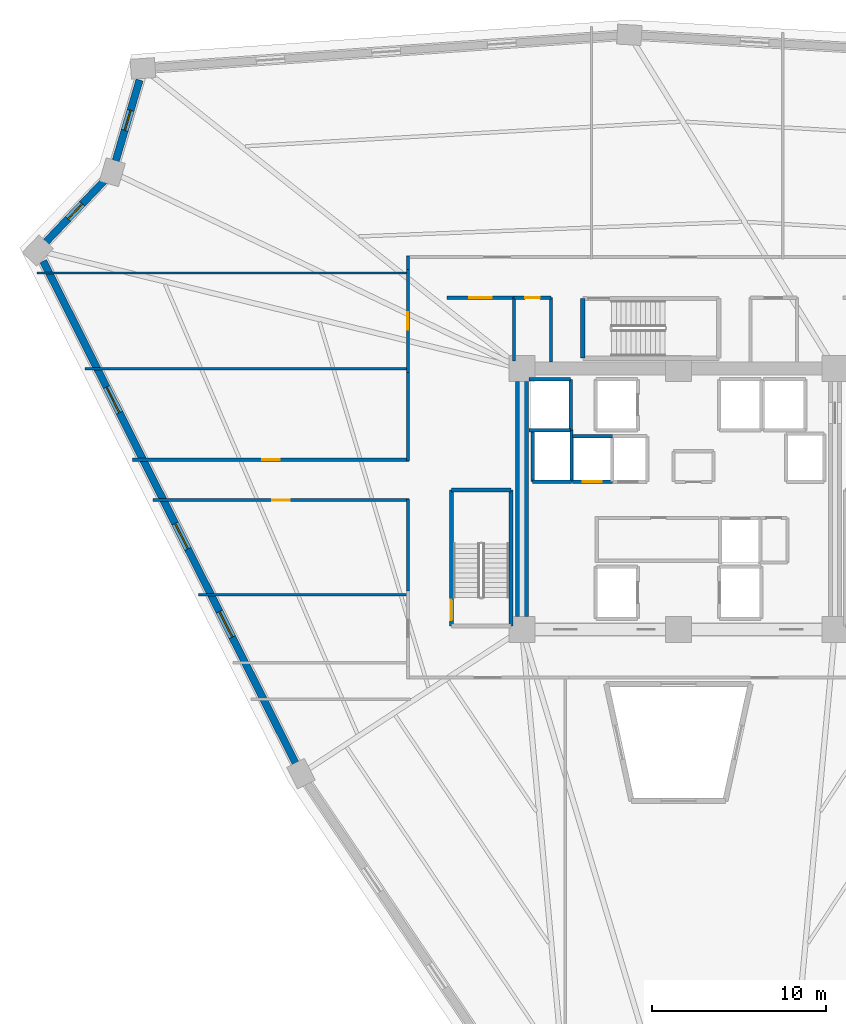
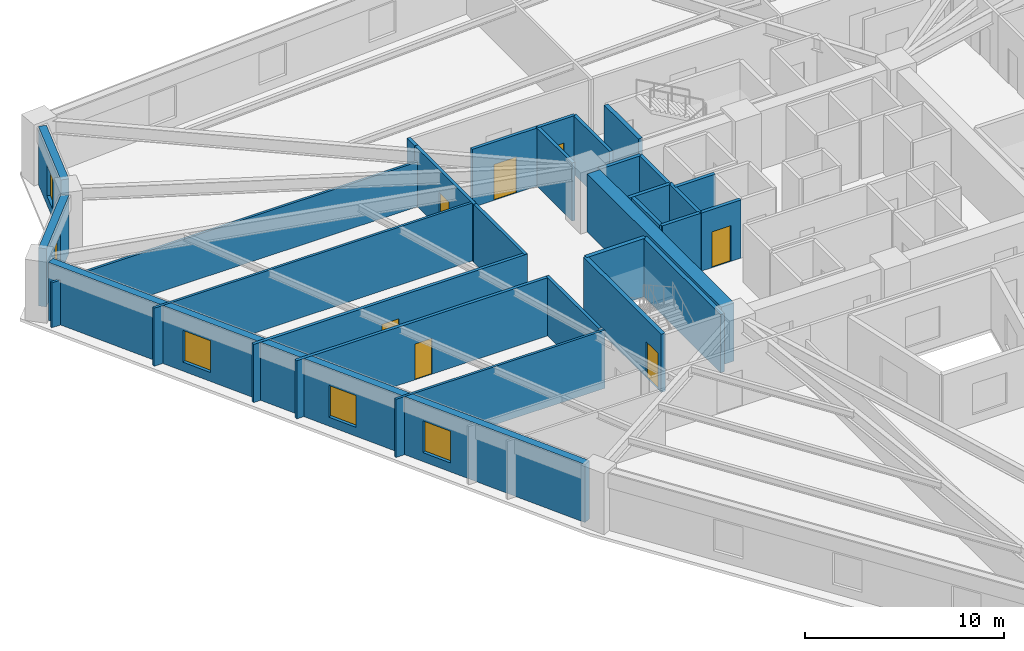
# One storey, part 4 of 8: 29 walls, 7 doors, 5 windows, 12 openings.
"""IFC4 building model written with IfcOpenShell, lengths in metres."""

from ifc_helpers import new_model, si_unit, direction, frame, frame_2d, origin, place, context, subcontext, project, spatial, rectangle, extrude, source, transform, mapped, material, layer, layer_set, type_object, element, fill, save


model = new_model("IFC4")

# Units and contexts
model_context = context("Model", 3, precision=1e-05, world=origin(), true_north=direction((0.0, 1.0)))
body_context = subcontext(model_context, "Body", "Model", "MODEL_VIEW")
ifc_project = project(units=[si_unit("LENGTHUNIT", "METRE"), si_unit("AREAUNIT", "SQUARE_METRE"), si_unit("VOLUMEUNIT", "CUBIC_METRE"), si_unit("PLANEANGLEUNIT", "RADIAN"), si_unit("MASSUNIT", "GRAM", prefix="KILO")], contexts=[model_context])

# Site, building, storey
site_placement = place(None, origin())
site = spatial("IfcSite", under=ifc_project, at=site_placement, CompositionType="ELEMENT")
building_placement = place(site_placement, origin())
building = spatial("IfcBuilding", under=site, at=building_placement, Name="Liaohun Quay Tower", CompositionType="ELEMENT")
storey_placement = place(building_placement, frame((0.0, 0.0, 105.75)))
storey = spatial("IfcBuildingStorey", under=building, at=storey_placement, Name="L27", CompositionType="ELEMENT", Elevation=105.75)

# Wall
ifc_material_1 = material(Name="Concrete C60", Category="concrete")
ifc_layer_1 = layer(ifc_material_1, 0.75, Name="Concrete C60", Category="concrete")
ifc_layer_set_1 = layer_set([ifc_layer_1], Name="Concrete C60")
wall_type_1 = type_object("IfcWallType", Name="WAL-COR-Z2", PredefinedType="SHEAR", material=ifc_layer_set_1)
wall_1_placement = place(storey_placement, frame((51.0, 47.25, 0.0), z_axis=(0.0, 0.0, 1.0), x_axis=(0.0, 1.0, 0.0)))
element("IfcWall", 1, at=wall_1_placement, inside=storey, type_object=wall_type_1, Name="L27 Central Core Shear Wall W", PredefinedType="SHEAR", context=body_context, shape_type="SweptSolid", body=[
    extrude(rectangle(XDim=13.5, YDim=0.75, at=frame_2d((6.75, 0.0))), origin(), (0.0, 0.0, 1.0), 3.570068359375),
])

# Wall, opening, window
ifc_material_2 = material(Name="Precast concrete C50 insulated sandwich", Category="concrete")
ifc_layer_2 = layer(ifc_material_2, 0.419921875, Name="Precast concrete C50 insulated sandwich", Category="concrete")
ifc_layer_set_2 = layer_set([ifc_layer_2], Name="Precast concrete C50 insulated sandwich")
wall_type_2 = type_object("IfcWallType", Name="WAL-EXT-Z12", PredefinedType="SOLIDWALL", material=ifc_layer_set_2)
wall_2_placement = place(storey_placement, frame((29.010986328125, 78.09912109375, 0.0), z_axis=(0.0, 0.0, 1.0), x_axis=(-0.28279156726, -0.959181385081, 0.0)))
wall_2 = element("IfcWall", 2, at=wall_2_placement, inside=storey, type_object=wall_type_2, Name="L27 Brutalist Precast Pier Wall 08", PredefinedType="SOLIDWALL", context=body_context, shape_type="SweptSolid", body=[
    extrude(rectangle(XDim=4.840576171875, YDim=0.419921875, at=frame_2d((2.42041015625, 0.0))), origin(), (0.0, 0.0, 1.0), 3.570068359375),
])
shared_shape_1 = source(origin(), body_context, "Body", "SweptSolid", [
    extrude(rectangle(XDim=1.199951171875, YDim=1.89990234375, at=frame_2d((0.60009765625, 0.949951171875))), frame((0.0, 0.219970703125, 0.0), z_axis=(0.0, -1.0, 0.0), x_axis=(1.0, 0.0, 0.0)), (0.0, 0.0, 1.0), 0.43994140625),
])
opening_1_placement = place(wall_2_placement, frame((1.820068359375, 0.0, 0.550048828125)))
opening_1 = element("IfcOpeningElement", 3, at=opening_1_placement, cuts=wall_2, Name="Opening W05", PredefinedType="OPENING", context=body_context, shape_type="MappedRepresentation", body=[
    mapped(shared_shape_1, transform((0.0, 0.0, 0.0), x_axis=(1.0, 0.0, 0.0), y_axis=(0.0, 1.0, 0.0), z_axis=(0.0, 0.0, 1.0), scale=1.0)),
])
ifc_material_3 = material(Name="Triple Low-E corner notch glazing", Category="glass")
window_type_1 = type_object("IfcWindowType", Name="WIN-NOTCH", PartitioningType="SINGLE_PANEL", PredefinedType="WINDOW", material=ifc_material_3)
shared_shape_2 = source(origin(), body_context, "Body", "SweptSolid", [
    extrude(rectangle(XDim=1.199951171875, YDim=1.89990234375, at=frame_2d((0.60009765625, 0.949951171875))), frame((0.0, 0.030029296875, 0.0), z_axis=(0.0, -1.0, 0.0), x_axis=(1.0, 0.0, 0.0)), (0.0, 0.0, 1.0), 0.06005859375),
])
window_1_placement = place(opening_1_placement, origin())
window_1 = element("IfcWindow", 4, at=window_1_placement, inside=storey, type_object=window_type_1, Name="L27 Corner Notch Window W05-08", OverallHeight=1.89990234375, OverallWidth=1.199951171875, PartitioningType="SINGLE_PANEL", PredefinedType="WINDOW", context=body_context, shape_type="MappedRepresentation", body=[
    mapped(shared_shape_2, transform((0.0, 0.0, 0.0), x_axis=(1.0, 0.0, 0.0), y_axis=(0.0, 1.0, 0.0), z_axis=(0.0, 0.0, 1.0), scale=1.0)),
])
fill(opening_1, window_1)

wall_3_placement = place(storey_placement, frame((26.970947265625, 72.2939453125, 0.0), z_axis=(0.0, 0.0, 1.0), x_axis=(-0.689306913108, -0.724469446934, 0.0)))
wall_3 = element("IfcWall", 5, at=wall_3_placement, inside=storey, type_object=wall_type_2, Name="L27 Brutalist Precast Pier Wall 09", PredefinedType="SOLIDWALL", context=body_context, shape_type="SweptSolid", body=[
    extrude(rectangle(XDim=4.83251953125, YDim=0.419921875, at=frame_2d((2.416259765625, 0.0))), origin(), (0.0, 0.0, 1.0), 3.570068359375),
])
opening_2_placement = place(wall_3_placement, frame((1.81591796875, 0.0, 0.550048828125)))
opening_2 = element("IfcOpeningElement", 6, at=opening_2_placement, cuts=wall_3, Name="Opening W05", PredefinedType="OPENING", context=body_context, shape_type="MappedRepresentation", body=[
    mapped(shared_shape_1, transform((0.0, 0.0, 0.0), x_axis=(1.0, 0.0, 0.0), y_axis=(0.0, 1.0, 0.0), z_axis=(0.0, 0.0, 1.0), scale=1.0)),
])
window_2_placement = place(opening_2_placement, origin())
window_2 = element("IfcWindow", 7, at=window_2_placement, inside=storey, type_object=window_type_1, Name="L27 Corner Notch Window W05-09", OverallHeight=1.89990234375, OverallWidth=1.199951171875, PartitioningType="SINGLE_PANEL", PredefinedType="WINDOW", context=body_context, shape_type="MappedRepresentation", body=[
    mapped(shared_shape_2, transform((0.0, 0.0, 0.0), x_axis=(1.0, 0.0, 0.0), y_axis=(0.0, 1.0, 0.0), z_axis=(0.0, 0.0, 1.0), scale=1.0)),
])
fill(opening_2, window_2)

# Wall, openings, windows
wall_4_placement = place(storey_placement, frame((23.47412109375, 67.677001953125, 0.0), z_axis=(0.0, 0.0, 1.0), x_axis=(0.44918995427, -0.893436279196, 0.0)))
wall_4 = element("IfcWall", 8, at=wall_4_placement, inside=storey, type_object=wall_type_2, Name="L27 Brutalist Precast Pier Wall 10", PredefinedType="SOLIDWALL", context=body_context, shape_type="SweptSolid", body=[
    extrude(rectangle(XDim=32.297607421875, YDim=0.419921875, at=frame_2d((16.14892578125, 0.0))), origin(), (0.0, 0.0, 1.0), 3.570068359375),
])
shared_shape_3 = source(origin(), body_context, "Body", "SweptSolid", [
    extrude(rectangle(XDim=1.64990234375, YDim=1.949951171875, at=frame_2d((0.824951171875, 0.97509765625))), frame((0.0, 0.219970703125, 0.0), z_axis=(0.0, -1.0, 0.0), x_axis=(1.0, 0.0, 0.0)), (0.0, 0.0, 1.0), 0.43994140625),
])
opening_3_placement = place(wall_4_placement, frame((8.09912109375, 0.0, 0.550048828125)))
opening_3 = element("IfcOpeningElement", 9, at=opening_3_placement, cuts=wall_4, Name="Opening W02", PredefinedType="OPENING", context=body_context, shape_type="MappedRepresentation", body=[
    mapped(shared_shape_3, transform((0.0, 0.0, 0.0), x_axis=(1.0, 0.0, 0.0), y_axis=(0.0, 1.0, 0.0), z_axis=(0.0, 0.0, 1.0), scale=1.0)),
])
opening_4_placement = place(wall_4_placement, frame((16.8740234375, 0.0, 0.550048828125)))
opening_4 = element("IfcOpeningElement", 10, at=opening_4_placement, cuts=wall_4, Name="Opening W02", PredefinedType="OPENING", context=body_context, shape_type="MappedRepresentation", body=[
    mapped(shared_shape_3, transform((0.0, 0.0, 0.0), x_axis=(1.0, 0.0, 0.0), y_axis=(0.0, 1.0, 0.0), z_axis=(0.0, 0.0, 1.0), scale=1.0)),
])
opening_5_placement = place(wall_4_placement, frame((22.548095703125, 0.0, 0.550048828125)))
opening_5 = element("IfcOpeningElement", 11, at=opening_5_placement, cuts=wall_4, Name="Opening W02", PredefinedType="OPENING", context=body_context, shape_type="MappedRepresentation", body=[
    mapped(shared_shape_3, transform((0.0, 0.0, 0.0), x_axis=(1.0, 0.0, 0.0), y_axis=(0.0, 1.0, 0.0), z_axis=(0.0, 0.0, 1.0), scale=1.0)),
])
ifc_material_4 = material(Name="Triple Low-E argon glazing in thermally broken aluminium", Category="aluminium")
window_type_2 = type_object("IfcWindowType", Name="WIN-PUN-Z2", PartitioningType="DOUBLE_PANEL_VERTICAL", PredefinedType="WINDOW", material=ifc_material_4)
shared_shape_4 = source(origin(), body_context, "Body", "SweptSolid", [
    extrude(rectangle(XDim=1.64990234375, YDim=1.949951171875, at=frame_2d((0.824951171875, 0.97509765625))), frame((0.0, 0.030029296875, 0.0), z_axis=(0.0, -1.0, 0.0), x_axis=(1.0, 0.0, 0.0)), (0.0, 0.0, 1.0), 0.06005859375),
])
window_3_placement = place(opening_3_placement, origin())
window_3 = element("IfcWindow", 12, at=window_3_placement, inside=storey, type_object=window_type_2, Name="L27 Recessed Cold-Climate Punched Window 10-1", OverallHeight=1.949951171875, OverallWidth=1.64990234375, PartitioningType="DOUBLE_PANEL_VERTICAL", PredefinedType="WINDOW", context=body_context, shape_type="MappedRepresentation", body=[
    mapped(shared_shape_4, transform((0.0, 0.0, 0.0), x_axis=(1.0, 0.0, 0.0), y_axis=(0.0, 1.0, 0.0), z_axis=(0.0, 0.0, 1.0), scale=1.0)),
])
fill(opening_3, window_3)
window_4_placement = place(opening_4_placement, origin())
window_4 = element("IfcWindow", 13, at=window_4_placement, inside=storey, type_object=window_type_2, Name="L27 Recessed Cold-Climate Punched Window 10-2", OverallHeight=1.949951171875, OverallWidth=1.64990234375, PartitioningType="DOUBLE_PANEL_VERTICAL", PredefinedType="WINDOW", context=body_context, shape_type="MappedRepresentation", body=[
    mapped(shared_shape_4, transform((0.0, 0.0, 0.0), x_axis=(1.0, 0.0, 0.0), y_axis=(0.0, 1.0, 0.0), z_axis=(0.0, 0.0, 1.0), scale=1.0)),
])
fill(opening_4, window_4)
window_5_placement = place(opening_5_placement, origin())
window_5 = element("IfcWindow", 14, at=window_5_placement, inside=storey, type_object=window_type_2, Name="L27 Recessed Cold-Climate Punched Window 10-3", OverallHeight=1.949951171875, OverallWidth=1.64990234375, PartitioningType="DOUBLE_PANEL_VERTICAL", PredefinedType="WINDOW", context=body_context, shape_type="MappedRepresentation", body=[
    mapped(shared_shape_4, transform((0.0, 0.0, 0.0), x_axis=(1.0, 0.0, 0.0), y_axis=(0.0, 1.0, 0.0), z_axis=(0.0, 0.0, 1.0), scale=1.0)),
])
fill(opening_5, window_5)

# Wall, opening, door
ifc_material_5 = material(Name="Autoclaved aerated concrete blockwork", Category="masonry")
ifc_layer_3 = layer(ifc_material_5, 0.179931640625, Name="Autoclaved aerated concrete blockwork", Category="masonry")
ifc_layer_set_3 = layer_set([ifc_layer_3], Name="Autoclaved aerated concrete blockwork")
wall_type_3 = type_object("IfcWallType", Name="WAL-PRT-COR", PredefinedType="PARTITIONING", material=ifc_layer_set_3)
wall_5_placement = place(storey_placement, frame((50.5400390625, 65.580078125, 0.0), z_axis=(0.0, 0.0, 1.0), x_axis=(1.0, 0.0, 0.0)))
wall_5 = element("IfcWall", 15, at=wall_5_placement, inside=storey, type_object=wall_type_3, Name="L27 Interior Partition Wall 007", PredefinedType="PARTITIONING", context=body_context, shape_type="SweptSolid", body=[
    extrude(rectangle(XDim=2.139892578125, YDim=0.179931640625, at=frame_2d((1.06982421875, 0.0))), origin(), (0.0, 0.0, 1.0), 3.570068359375),
])
shared_shape_5 = source(origin(), body_context, "Body", "SweptSolid", [
    extrude(rectangle(XDim=0.85009765625, YDim=2.10009765625, at=frame_2d((0.425048828125, 1.050048828125))), frame((0.0, 0.099853515625, 0.0), z_axis=(0.0, -1.0, 0.0), x_axis=(1.0, 0.0, 0.0)), (0.0, 0.0, 1.0), 0.199951171875),
])
opening_6_placement = place(wall_5_placement, frame((0.64501953125, 0.0, 0.0)))
opening_6 = element("IfcOpeningElement", 16, at=opening_6_placement, cuts=wall_5, Name="Opening AD1", PredefinedType="OPENING", context=body_context, shape_type="MappedRepresentation", body=[
    mapped(shared_shape_5, transform((0.0, 0.0, 0.0), x_axis=(1.0, 0.0, 0.0), y_axis=(0.0, 1.0, 0.0), z_axis=(0.0, 0.0, 1.0), scale=1.0)),
])
ifc_material_6 = material(Name="Steel riser inspection fire door", Category="steel")
door_type_1 = type_object("IfcDoorType", Name="DOR-SHF-850", OperationType="NOTDEFINED", PredefinedType="DOOR", material=ifc_material_6)
shared_shape_6 = source(origin(), body_context, "Body", "SweptSolid", [
    extrude(rectangle(XDim=0.85009765625, YDim=2.10009765625, at=frame_2d((0.425048828125, 1.050048828125))), frame((0.0, 0.02490234375, 0.0), z_axis=(0.0, -1.0, 0.0), x_axis=(1.0, 0.0, 0.0)), (0.0, 0.0, 1.0), 0.050048828125),
])
door_1_placement = place(opening_6_placement, origin())
door_1 = element("IfcDoor", 17, at=door_1_placement, inside=storey, type_object=door_type_1, Name="L27 North-West Supply Store Door", OperationType="SINGLE_SWING_RIGHT", OverallHeight=2.10009765625, OverallWidth=0.85009765625, PredefinedType="DOOR", context=body_context, shape_type="MappedRepresentation", body=[
    mapped(shared_shape_6, transform((0.0, 0.0, 0.0), x_axis=(1.0, 0.0, 0.0), y_axis=(0.0, 1.0, 0.0), z_axis=(0.0, 0.0, 1.0), scale=1.0)),
])
fill(opening_6, door_1)

wall_6_placement = place(storey_placement, frame((46.699951171875, 65.580078125, 0.0), z_axis=(0.0, 0.0, 1.0), x_axis=(1.0, 0.0, 0.0)))
wall_6 = element("IfcWall", 18, at=wall_6_placement, inside=storey, type_object=wall_type_3, Name="L27 Interior Partition Wall 009", PredefinedType="PARTITIONING", context=body_context, shape_type="SweptSolid", body=[
    extrude(rectangle(XDim=3.840087890625, YDim=0.179931640625, at=frame_2d((1.919921875, 0.0))), origin(), (0.0, 0.0, 1.0), 3.570068359375),
])
shared_shape_7 = source(origin(), body_context, "Body", "SweptSolid", [
    extrude(rectangle(XDim=1.300048828125, YDim=2.199951171875, at=frame_2d((0.64990234375, 1.10009765625))), frame((0.0, 0.099853515625, 0.0), z_axis=(0.0, -1.0, 0.0), x_axis=(1.0, 0.0, 0.0)), (0.0, 0.0, 1.0), 0.199951171875),
])
opening_7_placement = place(wall_6_placement, frame((1.27001953125, 0.0, 0.0)))
opening_7 = element("IfcOpeningElement", 19, at=opening_7_placement, cuts=wall_6, Name="Opening FD1", PredefinedType="OPENING", context=body_context, shape_type="MappedRepresentation", body=[
    mapped(shared_shape_7, transform((0.0, 0.0, 0.0), x_axis=(1.0, 0.0, 0.0), y_axis=(0.0, 1.0, 0.0), z_axis=(0.0, 0.0, 1.0), scale=1.0)),
])
ifc_material_7 = material(Name="Galvanised steel smokeproof fire door", Category="steel")
door_type_2 = type_object("IfcDoorType", Name="DOR-FFL-1300", OperationType="NOTDEFINED", PredefinedType="DOOR", material=ifc_material_7)
shared_shape_8 = source(origin(), body_context, "Body", "SweptSolid", [
    extrude(rectangle(XDim=1.300048828125, YDim=2.199951171875, at=frame_2d((0.64990234375, 1.10009765625))), frame((0.0, 0.02490234375, 0.0), z_axis=(0.0, -1.0, 0.0), x_axis=(1.0, 0.0, 0.0)), (0.0, 0.0, 1.0), 0.050048828125),
])
door_2_placement = place(opening_7_placement, origin())
door_2 = element("IfcDoor", 20, at=door_2_placement, inside=storey, type_object=door_type_2, Name="L27 West Core Vestibule Door", OperationType="SINGLE_SWING_RIGHT", OverallHeight=2.199951171875, OverallWidth=1.300048828125, PredefinedType="DOOR", context=body_context, shape_type="MappedRepresentation", body=[
    mapped(shared_shape_8, transform((0.0, 0.0, 0.0), x_axis=(1.0, 0.0, 0.0), y_axis=(0.0, 1.0, 0.0), z_axis=(0.0, 0.0, 1.0), scale=1.0)),
])
fill(opening_7, door_2)

wall_7_placement = place(storey_placement, frame((44.43994140625, 61.284912109375, 0.0), z_axis=(0.0, 0.0, 1.0), x_axis=(0.0, 1.0, 0.0)))
wall_7 = element("IfcWall", 21, at=wall_7_placement, inside=storey, type_object=wall_type_3, Name="L27 Interior Partition Wall 015", PredefinedType="PARTITIONING", context=body_context, shape_type="SweptSolid", body=[
    extrude(rectangle(XDim=5.93017578125, YDim=0.179931640625, at=frame_2d((2.965087890625, 0.0))), origin(), (0.0, 0.0, 1.0), 3.570068359375),
])
shared_shape_9 = source(origin(), body_context, "Body", "SweptSolid", [
    extrude(rectangle(XDim=1.0, YDim=2.199951171875, at=frame_2d((0.5, 1.10009765625))), frame((0.0, 0.099853515625, 0.0), z_axis=(0.0, -1.0, 0.0), x_axis=(1.0, 0.0, 0.0)), (0.0, 0.0, 1.0), 0.199951171875),
])
opening_8_placement = place(wall_7_placement, frame((2.465087890625, 0.0, 0.0)))
opening_8 = element("IfcOpeningElement", 22, at=opening_8_placement, cuts=wall_7, Name="Opening OD1", PredefinedType="OPENING", context=body_context, shape_type="MappedRepresentation", body=[
    mapped(shared_shape_9, transform((0.0, 0.0, 0.0), x_axis=(1.0, 0.0, 0.0), y_axis=(0.0, 1.0, 0.0), z_axis=(0.0, 0.0, 1.0), scale=1.0)),
])
ifc_material_8 = material(Name="Solid-core oak veneer timber leaf in steel frame", Category="steel")
door_type_3 = type_object("IfcDoorType", Name="DOR-OFF-1000", OperationType="NOTDEFINED", PredefinedType="DOOR", material=ifc_material_8)
shared_shape_10 = source(origin(), body_context, "Body", "SweptSolid", [
    extrude(rectangle(XDim=1.0, YDim=2.199951171875, at=frame_2d((0.5, 1.10009765625))), frame((0.0, 0.02490234375, 0.0), z_axis=(0.0, -1.0, 0.0), x_axis=(1.0, 0.0, 0.0)), (0.0, 0.0, 1.0), 0.050048828125),
])
door_3_placement = place(opening_8_placement, origin())
door_3 = element("IfcDoor", 23, at=door_3_placement, inside=storey, type_object=door_type_3, Name="L27 Corporate Exhibition Gallery 05 Door", OperationType="SINGLE_SWING_RIGHT", OverallHeight=2.199951171875, OverallWidth=1.0, PredefinedType="DOOR", context=body_context, shape_type="MappedRepresentation", body=[
    mapped(shared_shape_10, transform((0.0, 0.0, 0.0), x_axis=(1.0, 0.0, 0.0), y_axis=(0.0, 1.0, 0.0), z_axis=(0.0, 0.0, 1.0), scale=1.0)),
])
fill(opening_8, door_3)

wall_8_placement = place(storey_placement, frame((28.617919921875, 56.260009765625, 0.0), z_axis=(0.0, 0.0, 1.0), x_axis=(1.0, 0.0, 0.0)))
wall_8 = element("IfcWall", 24, at=wall_8_placement, inside=storey, type_object=wall_type_3, Name="L27 Interior Partition Wall 016", PredefinedType="PARTITIONING", context=body_context, shape_type="SweptSolid", body=[
    extrude(rectangle(XDim=15.89208984375, YDim=0.179931640625, at=frame_2d((7.946044921875, 0.0))), origin(), (0.0, 0.0, 1.0), 3.570068359375),
])
opening_9_placement = place(wall_8_placement, frame((7.446044921875, 0.0, 0.0)))
opening_9 = element("IfcOpeningElement", 25, at=opening_9_placement, cuts=wall_8, Name="Opening OD1", PredefinedType="OPENING", context=body_context, shape_type="MappedRepresentation", body=[
    mapped(shared_shape_9, transform((0.0, 0.0, 0.0), x_axis=(1.0, 0.0, 0.0), y_axis=(0.0, 1.0, 0.0), z_axis=(0.0, 0.0, 1.0), scale=1.0)),
])
door_4_placement = place(opening_9_placement, origin())
door_4 = element("IfcDoor", 26, at=door_4_placement, inside=storey, type_object=door_type_3, Name="L27 Staff Tea Kitchen and Pantry 06 Door", OperationType="SINGLE_SWING_LEFT", OverallHeight=2.199951171875, OverallWidth=1.0, PredefinedType="DOOR", context=body_context, shape_type="MappedRepresentation", body=[
    mapped(shared_shape_10, transform((0.0, 0.0, 0.0), x_axis=(1.0, 0.0, 0.0), y_axis=(0.0, 1.0, 0.0), z_axis=(0.0, 0.0, 1.0), scale=1.0)),
])
fill(opening_9, door_4)

wall_9_placement = place(storey_placement, frame((44.510009765625, 53.93994140625, 0.0), z_axis=(0.0, 0.0, 1.0), x_axis=(-1.0, 0.0, 0.0)))
wall_9 = element("IfcWall", 27, at=wall_9_placement, inside=storey, type_object=wall_type_3, Name="L27 Interior Partition Wall 017", PredefinedType="PARTITIONING", context=body_context, shape_type="SweptSolid", body=[
    extrude(rectangle(XDim=14.72509765625, YDim=0.179931640625, at=frame_2d((7.362548828125, 0.0))), origin(), (0.0, 0.0, 1.0), 3.570068359375),
])
opening_10_placement = place(wall_9_placement, frame((6.862060546875, 0.0, 0.0)))
opening_10 = element("IfcOpeningElement", 28, at=opening_10_placement, cuts=wall_9, Name="Opening OD1", PredefinedType="OPENING", context=body_context, shape_type="MappedRepresentation", body=[
    mapped(shared_shape_9, transform((0.0, 0.0, 0.0), x_axis=(1.0, 0.0, 0.0), y_axis=(0.0, 1.0, 0.0), z_axis=(0.0, 0.0, 1.0), scale=1.0)),
])
door_5_placement = place(opening_10_placement, origin())
door_5 = element("IfcDoor", 29, at=door_5_placement, inside=storey, type_object=door_type_3, Name="L27 Architectural Design Studio 07 Door", OperationType="SINGLE_SWING_RIGHT", OverallHeight=2.199951171875, OverallWidth=1.0, PredefinedType="DOOR", context=body_context, shape_type="MappedRepresentation", body=[
    mapped(shared_shape_10, transform((0.0, 0.0, 0.0), x_axis=(1.0, 0.0, 0.0), y_axis=(0.0, 1.0, 0.0), z_axis=(0.0, 0.0, 1.0), scale=1.0)),
])
fill(opening_10, door_5)

# Walls
wall_10_placement = place(storey_placement, frame((50.5400390625, 61.949951171875, 0.0), z_axis=(0.0, 0.0, 1.0), x_axis=(0.0, 1.0, 0.0)))
element("IfcWall", 30, at=wall_10_placement, inside=storey, type_object=wall_type_3, Name="L27 Interior Partition Wall 033", PredefinedType="PARTITIONING", context=body_context, shape_type="SweptSolid", body=[
    extrude(rectangle(XDim=3.630126953125, YDim=0.179931640625, at=frame_2d((1.81494140625, 0.0))), origin(), (0.0, 0.0, 1.0), 3.570068359375),
])
wall_11_placement = place(storey_placement, frame((52.679931640625, 61.875, 0.0), z_axis=(0.0, 0.0, 1.0), x_axis=(0.0, 1.0, 0.0)))
element("IfcWall", 31, at=wall_11_placement, inside=storey, type_object=wall_type_3, Name="L27 Interior Partition Wall 034", PredefinedType="PARTITIONING", context=body_context, shape_type="SweptSolid", body=[
    extrude(rectangle(XDim=3.705078125, YDim=0.179931640625, at=frame_2d((1.8525390625, 0.0))), origin(), (0.0, 0.0, 1.0), 3.570068359375),
])
wall_12_placement = place(storey_placement, frame((44.43994140625, 67.215087890625, 0.0), z_axis=(0.0, 0.0, 1.0), x_axis=(0.0, 1.0, 0.0)))
element("IfcWall", 32, at=wall_12_placement, inside=storey, type_object=wall_type_3, Name="L27 Interior Partition Wall 039", PredefinedType="PARTITIONING", context=body_context, shape_type="SweptSolid", body=[
    extrude(rectangle(XDim=0.764892578125, YDim=0.179931640625, at=frame_2d((0.38232421875, 0.0))), origin(), (0.0, 0.0, 1.0), 3.570068359375),
])
wall_13_placement = place(storey_placement, frame((44.43994140625, 56.18994140625, 0.0), z_axis=(0.0, 0.0, 1.0), x_axis=(0.0, 1.0, 0.0)))
element("IfcWall", 33, at=wall_13_placement, inside=storey, type_object=wall_type_3, Name="L27 Interior Partition Wall 040", PredefinedType="PARTITIONING", context=body_context, shape_type="SweptSolid", body=[
    extrude(rectangle(XDim=5.094970703125, YDim=0.179931640625, at=frame_2d((2.54736328125, 0.0))), origin(), (0.0, 0.0, 1.0), 3.570068359375),
])
wall_14_placement = place(storey_placement, frame((44.43994140625, 48.715087890625, 0.0), z_axis=(0.0, 0.0, 1.0), x_axis=(0.0, 1.0, 0.0)))
element("IfcWall", 34, at=wall_14_placement, inside=storey, type_object=wall_type_3, Name="L27 Interior Partition Wall 041", PredefinedType="PARTITIONING", context=body_context, shape_type="SweptSolid", body=[
    extrude(rectangle(XDim=5.294921875, YDim=0.179931640625, at=frame_2d((2.6474609375, 0.0))), origin(), (0.0, 0.0, 1.0), 3.570068359375),
])
ifc_material_9 = material(Name="Gypsum board on twin steel studs", Category="steel")
ifc_layer_4 = layer(ifc_material_9, 0.139892578125, Name="Gypsum board on twin steel studs", Category="steel")
ifc_layer_set_4 = layer_set([ifc_layer_4], Name="Gypsum board on twin steel studs")
wall_type_4 = type_object("IfcWallType", Name="WAL-PRT-OFF", PredefinedType="PARTITIONING", material=ifc_layer_set_4)
wall_15_placement = place(storey_placement, frame((44.5400390625, 48.5, 0.0), z_axis=(0.0, 0.0, 1.0), x_axis=(-1.0, 0.0, 0.0)))
element("IfcWall", 35, at=wall_15_placement, inside=storey, type_object=wall_type_4, Name="L27 Interior Partition Wall 047", PredefinedType="PARTITIONING", context=body_context, shape_type="SweptSolid", body=[
    extrude(rectangle(XDim=12.129150390625, YDim=0.139892578125, at=frame_2d((6.064453125, 0.0))), origin(), (0.0, 0.0, 1.0), 3.570068359375),
])
wall_16_placement = place(storey_placement, frame((44.5400390625, 61.5, 0.0), z_axis=(0.0, 0.0, 1.0), x_axis=(-1.0, 0.0, 0.0)))
element("IfcWall", 36, at=wall_16_placement, inside=storey, type_object=wall_type_4, Name="L27 Interior Partition Wall 048", PredefinedType="PARTITIONING", context=body_context, shape_type="SweptSolid", body=[
    extrude(rectangle(XDim=18.6650390625, YDim=0.139892578125, at=frame_2d((9.33251953125, 0.0))), origin(), (0.0, 0.0, 1.0), 3.570068359375),
])
wall_17_placement = place(storey_placement, frame((44.5400390625, 67.0, 0.0), z_axis=(0.0, 0.0, 1.0), x_axis=(-1.0, 0.0, 0.0)))
element("IfcWall", 37, at=wall_17_placement, inside=storey, type_object=wall_type_4, Name="L27 Interior Partition Wall 049", PredefinedType="PARTITIONING", context=body_context, shape_type="SweptSolid", body=[
    extrude(rectangle(XDim=21.43115234375, YDim=0.139892578125, at=frame_2d((10.715576171875, 0.0))), origin(), (0.0, 0.0, 1.0), 2.7548828125),
])
ifc_material_10 = material(Name="Concrete C50", Category="concrete")
ifc_layer_5 = layer(ifc_material_10, 0.239990234375, Name="Concrete C50", Category="concrete")
ifc_layer_set_5 = layer_set([ifc_layer_5], Name="Concrete C50")
wall_type_5 = type_object("IfcWallType", Name="WAL-SHF-200", PredefinedType="SOLIDWALL", material=ifc_layer_set_5)
wall_18_placement = place(storey_placement, frame((50.3798828125, 46.699951171875, 0.0), z_axis=(0.0, 0.0, 1.0), x_axis=(0.0, 1.0, 0.0)))
element("IfcWall", 38, at=wall_18_placement, inside=storey, type_object=wall_type_5, Name="L27 Stairwell ST-1 Structural Core Wall E", PredefinedType="SOLIDWALL", context=body_context, shape_type="SweptSolid", body=[
    extrude(rectangle(XDim=7.820068359375, YDim=0.239990234375, at=frame_2d((3.91015625, 0.0))), origin(), (0.0, 0.0, 1.0), 3.570068359375),
])
wall_19_placement = place(storey_placement, frame((50.3798828125, 54.52001953125, 0.0), z_axis=(0.0, 0.0, 1.0), x_axis=(-1.0, 0.0, 0.0)))
element("IfcWall", 39, at=wall_19_placement, inside=storey, type_object=wall_type_5, Name="L27 Stairwell ST-1 Structural Core Wall N", PredefinedType="SOLIDWALL", context=body_context, shape_type="SweptSolid", body=[
    extrude(rectangle(XDim=3.43994140625, YDim=0.239990234375, at=frame_2d((1.719970703125, 0.0))), origin(), (0.0, 0.0, 1.0), 3.570068359375),
])

# Wall, opening, door
wall_20_placement = place(storey_placement, frame((46.93994140625, 54.52001953125, 0.0), z_axis=(0.0, 0.0, 1.0), x_axis=(0.0, -1.0, 0.0)))
wall_20 = element("IfcWall", 40, at=wall_20_placement, inside=storey, type_object=wall_type_5, Name="L27 Stairwell ST-1 Structural Core Wall W", PredefinedType="SOLIDWALL", context=body_context, shape_type="SweptSolid", body=[
    extrude(rectangle(XDim=7.820068359375, YDim=0.239990234375, at=frame_2d((3.91015625, 0.0))), origin(), (0.0, 0.0, 1.0), 3.570068359375),
])
shared_shape_11 = source(origin(), body_context, "Body", "SweptSolid", [
    extrude(rectangle(XDim=1.199951171875, YDim=2.199951171875, at=frame_2d((0.60009765625, 1.10009765625))), frame((0.0, 0.1298828125, 0.0), z_axis=(0.0, -1.0, 0.0), x_axis=(1.0, 0.0, 0.0)), (0.0, 0.0, 1.0), 0.260009765625),
])
opening_11_placement = place(wall_20_placement, frame((6.300048828125, 0.0, 0.0)))
opening_11 = element("IfcOpeningElement", 41, at=opening_11_placement, cuts=wall_20, Name="Opening SD1", PredefinedType="OPENING", context=body_context, shape_type="MappedRepresentation", body=[
    mapped(shared_shape_11, transform((0.0, 0.0, 0.0), x_axis=(1.0, 0.0, 0.0), y_axis=(0.0, 1.0, 0.0), z_axis=(0.0, 0.0, 1.0), scale=1.0)),
])
ifc_material_11 = material(Name="Galvanised steel fire door", Category="steel")
door_type_4 = type_object("IfcDoorType", Name="DOR-STR-1200", OperationType="NOTDEFINED", PredefinedType="DOOR", material=ifc_material_11)
shared_shape_12 = source(origin(), body_context, "Body", "SweptSolid", [
    extrude(rectangle(XDim=1.199951171875, YDim=2.199951171875, at=frame_2d((0.60009765625, 1.10009765625))), frame((0.0, 0.02490234375, 0.0), z_axis=(0.0, -1.0, 0.0), x_axis=(1.0, 0.0, 0.0)), (0.0, 0.0, 1.0), 0.050048828125),
])
door_6_placement = place(opening_11_placement, origin())
door_6 = element("IfcDoor", 42, at=door_6_placement, inside=storey, type_object=door_type_4, Name="L27 Protected Stair ST-1 Fire Door", OperationType="SINGLE_SWING_LEFT", OverallHeight=2.199951171875, OverallWidth=1.199951171875, PredefinedType="DOOR", context=body_context, shape_type="MappedRepresentation", body=[
    mapped(shared_shape_12, transform((0.0, 0.0, 0.0), x_axis=(1.0, 0.0, 0.0), y_axis=(0.0, 1.0, 0.0), z_axis=(0.0, 0.0, 1.0), scale=1.0)),
])
fill(opening_11, door_6)

# Walls
wall_21_placement = place(storey_placement, frame((54.5, 65.5400390625, 0.0), z_axis=(0.0, 0.0, 1.0), x_axis=(0.0, -1.0, 0.0)))
element("IfcWall", 43, at=wall_21_placement, inside=storey, type_object=wall_type_5, Name="L27 Stairwell ST-3 Structural Core Wall W", PredefinedType="SOLIDWALL", context=body_context, shape_type="SweptSolid", body=[
    extrude(rectangle(XDim=3.43994140625, YDim=0.239990234375, at=frame_2d((1.719970703125, 0.0))), origin(), (0.0, 0.0, 1.0), 3.570068359375),
])
wall_22_placement = place(storey_placement, frame((51.39990234375, 57.949951171875, 0.0), z_axis=(0.0, 0.0, 1.0), x_axis=(1.0, 0.0, 0.0)))
element("IfcWall", 44, at=wall_22_placement, inside=storey, type_object=wall_type_5, Name="L27 Lift SH-01 Hoistway Wall S", PredefinedType="SOLIDWALL", context=body_context, shape_type="SweptSolid", body=[
    extrude(rectangle(XDim=2.400146484375, YDim=0.199951171875, at=frame_2d((1.2001953125, 0.0))), origin(), (0.0, 0.0, 1.0), 3.570068359375),
])
wall_23_placement = place(storey_placement, frame((53.800048828125, 57.949951171875, 0.0), z_axis=(0.0, 0.0, 1.0), x_axis=(0.0, 1.0, 0.0)))
element("IfcWall", 45, at=wall_23_placement, inside=storey, type_object=wall_type_5, Name="L27 Lift SH-01 Hoistway Wall E", PredefinedType="SOLIDWALL", context=body_context, shape_type="SweptSolid", body=[
    extrude(rectangle(XDim=2.929931640625, YDim=0.199951171875, at=frame_2d((1.46484375, 0.0))), origin(), (0.0, 0.0, 1.0), 3.570068359375),
])
wall_24_placement = place(storey_placement, frame((53.800048828125, 60.8798828125, 0.0), z_axis=(0.0, 0.0, 1.0), x_axis=(-1.0, 0.0, 0.0)))
element("IfcWall", 46, at=wall_24_placement, inside=storey, type_object=wall_type_5, Name="L27 Lift SH-01 Hoistway Wall N", PredefinedType="SOLIDWALL", context=body_context, shape_type="SweptSolid", body=[
    extrude(rectangle(XDim=2.400146484375, YDim=0.199951171875, at=frame_2d((1.2001953125, 0.0))), origin(), (0.0, 0.0, 1.0), 3.570068359375),
])
wall_25_placement = place(storey_placement, frame((51.6201171875, 55.0, 0.0), z_axis=(0.0, 0.0, 1.0), x_axis=(1.0, 0.0, 0.0)))
element("IfcWall", 47, at=wall_25_placement, inside=storey, type_object=wall_type_5, Name="L27 Lift SH-02 Hoistway Wall S", PredefinedType="SOLIDWALL", context=body_context, shape_type="SweptSolid", body=[
    extrude(rectangle(XDim=2.22998046875, YDim=0.199951171875, at=frame_2d((1.114990234375, 0.0))), origin(), (0.0, 0.0, 1.0), 3.570068359375),
])
for number, where, z_axis, x_axis, name in (
    (48, (53.85009765625, 55.0, 0.0), (0.0, 0.0, 1.0), (0.0, 1.0, 0.0), "L27 Lift SH-02 Hoistway Wall E"),
    (49, (51.6201171875, 58.0, 0.0), (0.0, 0.0, 1.0), (0.0, -1.0, 0.0), "L27 Lift SH-02 Hoistway Wall W"),
):
    element("IfcWall", number, at=place(storey_placement, frame(where, z_axis=z_axis, x_axis=x_axis)), inside=storey, type_object=wall_type_5, Name=name, PredefinedType="SOLIDWALL", context=body_context, shape_type="SweptSolid", body=[
        extrude(rectangle(XDim=3.0, YDim=0.199951171875, at=frame_2d((1.5, 0.0))), origin(), (0.0, 0.0, 1.0), 3.570068359375),
    ])

# Wall, opening, door
wall_26_placement = place(storey_placement, frame((53.89990234375, 55.0, 0.0), z_axis=(0.0, 0.0, 1.0), x_axis=(1.0, 0.0, 0.0)))
wall_26 = element("IfcWall", 50, at=wall_26_placement, inside=storey, type_object=wall_type_5, Name="L27 Lift PL-2B Hoistway Wall S", PredefinedType="SOLIDWALL", context=body_context, shape_type="SweptSolid", body=[
    extrude(rectangle(XDim=2.300048828125, YDim=0.199951171875, at=frame_2d((1.14990234375, 0.0))), origin(), (0.0, 0.0, 1.0), 3.570068359375),
])
shared_shape_13 = source(origin(), body_context, "Body", "SweptSolid", [
    extrude(rectangle(XDim=1.10009765625, YDim=2.199951171875, at=frame_2d((0.550048828125, 1.10009765625))), frame((0.0, 0.10986328125, 0.0), z_axis=(0.0, -1.0, 0.0), x_axis=(1.0, 0.0, 0.0)), (0.0, 0.0, 1.0), 0.219970703125),
])
opening_12_placement = place(wall_26_placement, frame((0.60009765625, 0.0, 0.0)))
opening_12 = element("IfcOpeningElement", 51, at=opening_12_placement, cuts=wall_26, Name="Opening LD1", PredefinedType="OPENING", context=body_context, shape_type="MappedRepresentation", body=[
    mapped(shared_shape_13, transform((0.0, 0.0, 0.0), x_axis=(1.0, 0.0, 0.0), y_axis=(0.0, 1.0, 0.0), z_axis=(0.0, 0.0, 1.0), scale=1.0)),
])
ifc_material_12 = material(Name="Brushed stainless steel landing door", Category="steel")
door_type_5 = type_object("IfcDoorType", Name="DOR-LFT-1100", OperationType="SLIDING_TO_LEFT", PredefinedType="DOOR", material=ifc_material_12)
shared_shape_14 = source(origin(), body_context, "Body", "SweptSolid", [
    extrude(rectangle(XDim=1.10009765625, YDim=2.199951171875, at=frame_2d((0.550048828125, 1.10009765625))), frame((0.0, 0.02490234375, 0.0), z_axis=(0.0, -1.0, 0.0), x_axis=(1.0, 0.0, 0.0)), (0.0, 0.0, 1.0), 0.050048828125),
])
door_7_placement = place(opening_12_placement, origin())
door_7 = element("IfcDoor", 52, at=door_7_placement, inside=storey, type_object=door_type_5, Name="L27 Lift PL-2B Sliding Landing Door", OperationType="SLIDING_TO_LEFT", OverallHeight=2.199951171875, OverallWidth=1.10009765625, PredefinedType="DOOR", context=body_context, shape_type="MappedRepresentation", body=[
    mapped(shared_shape_14, transform((0.0, 0.0, 0.0), x_axis=(1.0, 0.0, 0.0), y_axis=(0.0, 1.0, 0.0), z_axis=(0.0, 0.0, 1.0), scale=1.0)),
])
fill(opening_12, door_7)

# Wall
wall_27_placement = place(storey_placement, frame((56.199951171875, 57.60009765625, 0.0), z_axis=(0.0, 0.0, 1.0), x_axis=(-1.0, 0.0, 0.0)))
element("IfcWall", 53, at=wall_27_placement, inside=storey, type_object=wall_type_5, Name="L27 Lift PL-2B Hoistway Wall N", PredefinedType="SOLIDWALL", context=body_context, shape_type="SweptSolid", body=[
    extrude(rectangle(XDim=2.300048828125, YDim=0.199951171875, at=frame_2d((1.14990234375, 0.0))), origin(), (0.0, 0.0, 1.0), 3.570068359375),
])

save(model, "model.ifc")
